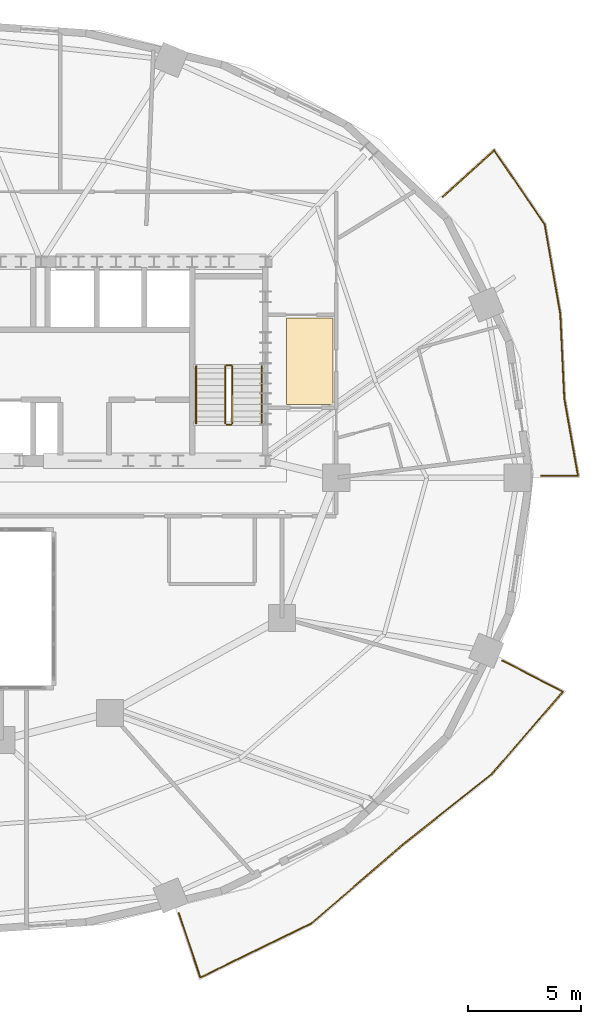
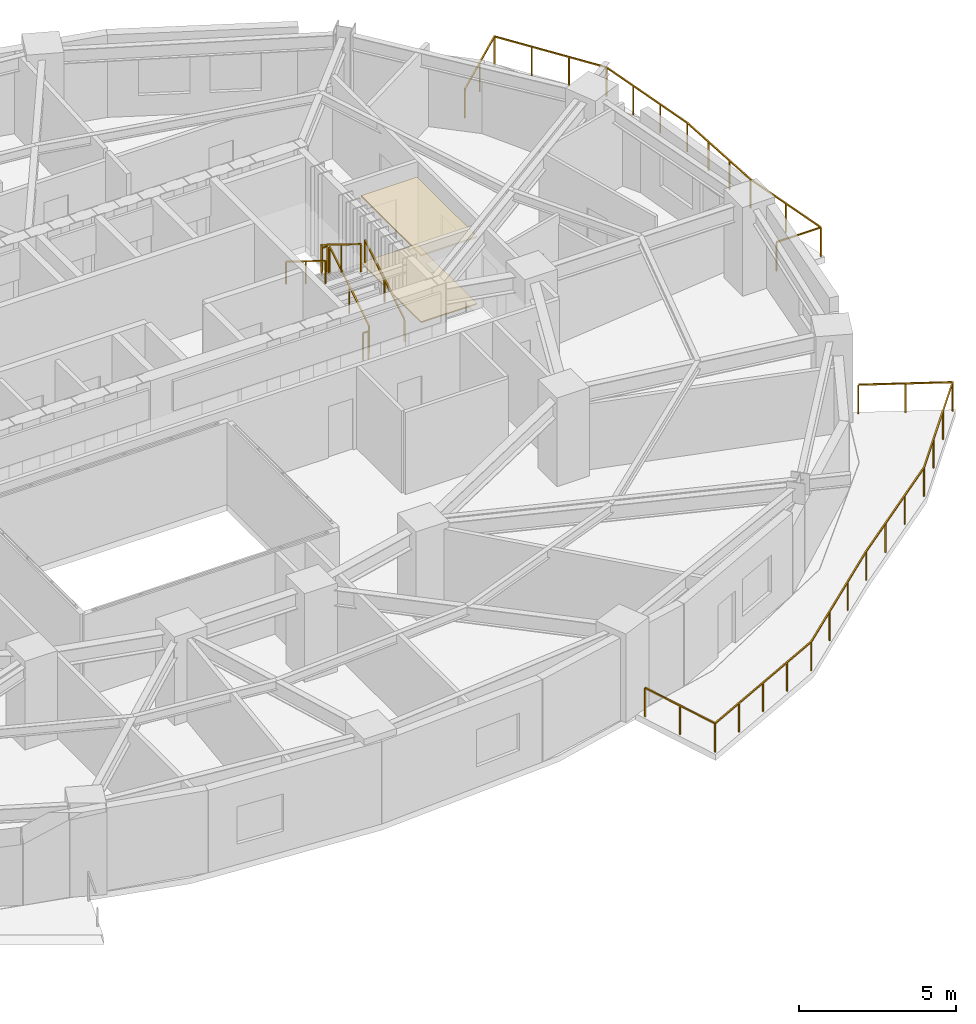
# One storey, part 13 of 13: 8 railings, 2 coverings.
"""IFC4 building model written with IfcOpenShell, lengths in metres."""

from ifc_helpers import new_model, si_unit, direction, frame, origin, origin_2d, place, context, subcontext, project, spatial, polyline, rectangle, outline, extrude, material, layer, layer_set, type_object, element, save


model = new_model("IFC4")

# Units and contexts
model_context = context("Model", 3, precision=1e-05, world=origin(), true_north=direction((0.0, 1.0)))
body_context = subcontext(model_context, "Body", "Model", "MODEL_VIEW")
ifc_project = project(units=[si_unit("LENGTHUNIT", "METRE"), si_unit("AREAUNIT", "SQUARE_METRE"), si_unit("VOLUMEUNIT", "CUBIC_METRE"), si_unit("PLANEANGLEUNIT", "RADIAN"), si_unit("MASSUNIT", "GRAM", prefix="KILO")], contexts=[model_context])

# Site, building, storey
site_placement = place(None, origin())
site = spatial("IfcSite", under=ifc_project, at=site_placement, CompositionType="ELEMENT")
building_placement = place(site_placement, origin())
building = spatial("IfcBuilding", under=site, at=building_placement, Name="Haldorwick Loom Tower", CompositionType="ELEMENT")
storey_placement = place(building_placement, frame((0.0, 0.0, 142.550048828125)))
storey = spatial("IfcBuildingStorey", under=building, at=storey_placement, Name="L38", CompositionType="ELEMENT", Elevation=142.550048828125)

# Coverings
ifc_material_1 = material(Name="Mineral Fibre Acoustic Ceiling Tile")
ifc_layer_1 = layer(ifc_material_1, 0.054931640625, Name="Mineral Fibre Acoustic Ceiling Tile")
ifc_layer_set_1 = layer_set([ifc_layer_1], Name="Mineral Fibre Acoustic Ceiling Tile")
covering_type_1 = type_object("IfcCoveringType", Name="ARC-COV-CEIL2", PredefinedType="CEILING", material=ifc_layer_set_1)
covering_1_placement = place(storey_placement, frame((0.0, 0.0, 2.594970703125)))
element("IfcCovering", 1, at=covering_1_placement, inside=storey, type_object=covering_type_1, Name="L38 Acoustic Suspended Ceiling 2", PredefinedType="CEILING", context=body_context, shape_type="SweptSolid", body=[
    extrude(outline(polyline([(51.0, 33.06005859375), (51.0, 29.239990234375), (53.06005859375, 29.239990234375), (53.06005859375, 33.06005859375), (51.0, 33.06005859375)])), origin(), (0.0, 0.0, 1.0), 0.054931640625),
])
ifc_material_2 = material(Name="Polished Aggregate Terrazzo Finish")
ifc_layer_2 = layer(ifc_material_2, 0.044921875, Name="Polished Aggregate Terrazzo Finish")
ifc_layer_set_2 = layer_set([ifc_layer_2], Name="Polished Aggregate Terrazzo Finish")
covering_type_2 = type_object("IfcCoveringType", Name="ARC-COV-FLOOR2", PredefinedType="FLOORING", material=ifc_layer_set_2)
covering_2_placement = place(storey_placement, origin())
element("IfcCovering", 2, at=covering_2_placement, inside=storey, type_object=covering_type_2, Name="L38 Floor Finish 2", PredefinedType="FLOORING", context=body_context, shape_type="SweptSolid", body=[
    extrude(outline(polyline([(51.0, 33.06005859375), (51.0, 29.239990234375), (53.06005859375, 29.239990234375), (53.06005859375, 33.06005859375), (51.0, 33.06005859375)])), origin(), (0.0, 0.0, 1.0), 0.044921875),
])

# Railings
ifc_material_3 = material(Name="Galvanized Steel CSA G40.21 350W", Category="steel")
railing_type_1 = type_object("IfcRailingType", Name="ARC-RLG-BAL115", PredefinedType="BALUSTRADE", material=ifc_material_3)
railing_1_placement = place(storey_placement, frame((60.552734375, 17.91259765625, 0.0)))
element("IfcRailing", 3, at=railing_1_placement, inside=storey, type_object=railing_type_1, Name="L38 Outdoor Terrace Guardrail SLB-L38-BAL_SE-1", PredefinedType="BALUSTRADE", context=body_context, shape_type="SweptSolid", body=[
    extrude(rectangle(XDim=0.048095703125, YDim=0.048095703125, at=origin_2d()), frame((0.0, 0.0, 1.1259765625), z_axis=(0.888510792564, -0.458855719695, 0.0), x_axis=(0.458855719695, 0.888510792564, 0.0)), (0.0, 0.0, 1.0), 3.009765625),
    extrude(rectangle(XDim=0.048095703125, YDim=0.048095703125, at=origin_2d()), frame((2.67431640625, -1.381103515625, 1.1259765625), z_axis=(-0.654367841929, -0.756176386466, 0.0), x_axis=(0.756176386466, -0.654367841929, 0.0)), (0.0, 0.0, 1.0), 4.824951171875),
    extrude(rectangle(XDim=0.048095703125, YDim=0.048095703125, at=origin_2d()), frame((-0.48291015625, -5.029541015625, 1.1259765625), z_axis=(-0.783726636091, -0.621105916798, 0.0), x_axis=(0.621105916798, -0.783726636091, 0.0)), (0.0, 0.0, 1.0), 5.01123046875),
    extrude(rectangle(XDim=0.048095703125, YDim=0.048095703125, at=origin_2d()), frame((-4.410400390625, -8.14208984375, 1.1259765625), z_axis=(-0.773957299203, -0.633237790257, 0.0), x_axis=(0.633237790257, -0.773957299203, 0.0)), (0.0, 0.0, 1.0), 0.00341796875),
    extrude(rectangle(XDim=0.048095703125, YDim=0.048095703125, at=origin_2d()), frame((-4.4130859375, -8.144287109375, 1.1259765625), z_axis=(-0.757220744918, -0.653159049134, 0.0), x_axis=(0.653159049134, -0.757220744918, 0.0)), (0.0, 0.0, 1.0), 5.32568359375),
    extrude(rectangle(XDim=0.048095703125, YDim=0.048095703125, at=origin_2d()), frame((-8.44580078125, -11.622802734375, 1.1259765625), z_axis=(-0.899116897768, -0.43770858359, 0.0), x_axis=(0.43770858359, -0.899116897768, 0.0)), (0.0, 0.0, 1.0), 5.469970703125),
    extrude(rectangle(XDim=0.048095703125, YDim=0.048095703125, at=origin_2d()), frame((-13.364013671875, -14.01708984375, 1.1259765625), z_axis=(-0.316522037821, 0.948585156733, 0.0), x_axis=(-0.948585156733, -0.316522037821, 0.0)), (0.0, 0.0, 1.0), 2.986572265625),
    extrude(rectangle(XDim=0.0419921875, YDim=0.0419921875, at=origin_2d()), origin(), (0.0, 0.0, 1.0), 1.101806640625),
    extrude(rectangle(XDim=0.0419921875, YDim=0.0419921875, at=origin_2d()), frame((1.337158203125, -0.6904296875, 0.0)), (0.0, 0.0, 1.0), 1.101806640625),
    extrude(rectangle(XDim=0.0419921875, YDim=0.0419921875, at=origin_2d()), frame((2.67431640625, -1.381103515625, 0.0)), (0.0, 0.0, 1.0), 1.101806640625),
    extrude(rectangle(XDim=0.0419921875, YDim=0.0419921875, at=origin_2d()), frame((1.621826171875, -2.59716796875, 0.0)), (0.0, 0.0, 1.0), 1.101806640625),
    extrude(rectangle(XDim=0.0419921875, YDim=0.0419921875, at=origin_2d()), frame((0.569580078125, -3.8134765625, 0.0)), (0.0, 0.0, 1.0), 1.101806640625),
    extrude(rectangle(XDim=0.0419921875, YDim=0.0419921875, at=origin_2d()), frame((-0.48291015625, -5.029541015625, 0.0)), (0.0, 0.0, 1.0), 1.101806640625),
    extrude(rectangle(XDim=0.0419921875, YDim=0.0419921875, at=origin_2d()), frame((-1.7919921875, -6.067138671875, 0.0)), (0.0, 0.0, 1.0), 1.101806640625),
    extrude(rectangle(XDim=0.0419921875, YDim=0.0419921875, at=origin_2d()), frame((-3.101318359375, -7.1044921875, 0.0)), (0.0, 0.0, 1.0), 1.101806640625),
    extrude(rectangle(XDim=0.0419921875, YDim=0.0419921875, at=origin_2d()), frame((-4.410400390625, -8.14208984375, 0.0)), (0.0, 0.0, 1.0), 1.101806640625),
    extrude(rectangle(XDim=0.0419921875, YDim=0.0419921875, at=origin_2d()), frame((-5.75732421875, -9.3037109375, 0.0)), (0.0, 0.0, 1.0), 1.101806640625),
    extrude(rectangle(XDim=0.0419921875, YDim=0.0419921875, at=origin_2d()), frame((-7.1015625, -10.46337890625, 0.0)), (0.0, 0.0, 1.0), 1.101806640625),
    extrude(rectangle(XDim=0.0419921875, YDim=0.0419921875, at=origin_2d()), frame((-8.44580078125, -11.622802734375, 0.0)), (0.0, 0.0, 1.0), 1.101806640625),
    extrude(rectangle(XDim=0.0419921875, YDim=0.0419921875, at=origin_2d()), frame((-9.67529296875, -12.221435546875, 0.0)), (0.0, 0.0, 1.0), 1.101806640625),
    extrude(rectangle(XDim=0.0419921875, YDim=0.0419921875, at=origin_2d()), frame((-10.90478515625, -12.81982421875, 0.0)), (0.0, 0.0, 1.0), 1.101806640625),
    extrude(rectangle(XDim=0.0419921875, YDim=0.0419921875, at=origin_2d()), frame((-12.134521484375, -13.41845703125, 0.0)), (0.0, 0.0, 1.0), 1.101806640625),
    extrude(rectangle(XDim=0.0419921875, YDim=0.0419921875, at=origin_2d()), frame((-13.364013671875, -14.01708984375, 0.0)), (0.0, 0.0, 1.0), 1.101806640625),
    extrude(rectangle(XDim=0.0419921875, YDim=0.0419921875, at=origin_2d()), frame((-13.836669921875, -12.6005859375, 0.0)), (0.0, 0.0, 1.0), 1.101806640625),
    extrude(rectangle(XDim=0.0419921875, YDim=0.0419921875, at=origin_2d()), frame((-14.309326171875, -11.18408203125, 0.0)), (0.0, 0.0, 1.0), 1.101806640625),
])
railing_2_placement = place(storey_placement, frame((57.91162109375, 38.418701171875, 0.0)))
element("IfcRailing", 4, at=railing_2_placement, inside=storey, type_object=railing_type_1, Name="L38 Outdoor Terrace Guardrail SLB-L38-BAL_ENE-1", PredefinedType="BALUSTRADE", context=body_context, shape_type="SweptSolid", body=[
    extrude(rectangle(XDim=0.048095703125, YDim=0.048095703125, at=origin_2d()), frame((0.0, 0.0, 1.1259765625), z_axis=(0.741530121313, 0.670919577286, 0.0), x_axis=(-0.670919577286, 0.741530121313, 0.0)), (0.0, 0.0, 1.0), 3.06689453125),
    extrude(rectangle(XDim=0.048095703125, YDim=0.048095703125, at=origin_2d()), frame((2.274169921875, 2.0576171875, 1.1259765625), z_axis=(0.563872418529, -0.825861910747, 0.0), x_axis=(0.825861910747, 0.563872418529, 0.0)), (0.0, 0.0, 1.0), 3.95947265625),
    extrude(rectangle(XDim=0.048095703125, YDim=0.048095703125, at=origin_2d()), frame((4.5068359375, -1.21240234375, 1.1259765625), z_axis=(0.171625353709, -0.985162290166, 0.0), x_axis=(0.985162290166, 0.171625353709, 0.0)), (0.0, 0.0, 1.0), 4.0244140625),
    extrude(rectangle(XDim=0.048095703125, YDim=0.048095703125, at=origin_2d()), frame((5.197509765625, -5.177001953125, 1.1259765625), z_axis=(0.047350743594, -0.998878324463, 0.0), x_axis=(0.998878324463, 0.047350743594, 0.0)), (0.0, 0.0, 1.0), 3.73291015625),
    extrude(rectangle(XDim=0.048095703125, YDim=0.048095703125, at=origin_2d()), frame((5.374267578125, -8.90576171875, 1.1259765625), z_axis=(0.118212889785, -0.992988274195, 0.0), x_axis=(0.992988274195, 0.118212889785, 0.0)), (0.0, 0.0, 1.0), 0.01025390625),
    extrude(rectangle(XDim=0.048095703125, YDim=0.048095703125, at=origin_2d()), frame((5.37548828125, -8.916015625, 1.1259765625), z_axis=(0.174402362104, -0.984674472144, 0.0), x_axis=(0.984674472144, 0.174402362104, 0.0)), (0.0, 0.0, 1.0), 3.475830078125),
    extrude(rectangle(XDim=0.048095703125, YDim=0.048095703125, at=origin_2d()), frame((5.981689453125, -12.338623046875, 1.1259765625), z_axis=(-1.0, 0.0, 0.0), x_axis=(0.0, -1.0, 0.0)), (0.0, 0.0, 1.0), 1.633056640625),
    extrude(rectangle(XDim=0.0419921875, YDim=0.0419921875, at=origin_2d()), origin(), (0.0, 0.0, 1.0), 1.101806640625),
    extrude(rectangle(XDim=0.0419921875, YDim=0.0419921875, at=origin_2d()), frame((1.13720703125, 1.02880859375, 0.0)), (0.0, 0.0, 1.0), 1.101806640625),
    extrude(rectangle(XDim=0.0419921875, YDim=0.0419921875, at=origin_2d()), frame((2.274169921875, 2.0576171875, 0.0)), (0.0, 0.0, 1.0), 1.101806640625),
    extrude(rectangle(XDim=0.0419921875, YDim=0.0419921875, at=origin_2d()), frame((3.018310546875, 0.967529296875, 0.0)), (0.0, 0.0, 1.0), 1.101806640625),
    extrude(rectangle(XDim=0.0419921875, YDim=0.0419921875, at=origin_2d()), frame((3.7626953125, -0.122314453125, 0.0)), (0.0, 0.0, 1.0), 1.101806640625),
    extrude(rectangle(XDim=0.0419921875, YDim=0.0419921875, at=origin_2d()), frame((4.5068359375, -1.21240234375, 0.0)), (0.0, 0.0, 1.0), 1.101806640625),
    extrude(rectangle(XDim=0.0419921875, YDim=0.0419921875, at=origin_2d()), frame((4.737060546875, -2.533935546875, 0.0)), (0.0, 0.0, 1.0), 1.101806640625),
    extrude(rectangle(XDim=0.0419921875, YDim=0.0419921875, at=origin_2d()), frame((4.96728515625, -3.85546875, 0.0)), (0.0, 0.0, 1.0), 1.101806640625),
    extrude(rectangle(XDim=0.0419921875, YDim=0.0419921875, at=origin_2d()), frame((5.197509765625, -5.177001953125, 0.0)), (0.0, 0.0, 1.0), 1.101806640625),
    extrude(rectangle(XDim=0.0419921875, YDim=0.0419921875, at=origin_2d()), frame((5.25634765625, -6.419921875, 0.0)), (0.0, 0.0, 1.0), 1.101806640625),
    extrude(rectangle(XDim=0.0419921875, YDim=0.0419921875, at=origin_2d()), frame((5.3154296875, -7.662841796875, 0.0)), (0.0, 0.0, 1.0), 1.101806640625),
    extrude(rectangle(XDim=0.0419921875, YDim=0.0419921875, at=origin_2d()), frame((5.374267578125, -8.90576171875, 0.0)), (0.0, 0.0, 1.0), 1.101806640625),
    extrude(rectangle(XDim=0.0419921875, YDim=0.0419921875, at=origin_2d()), frame((5.6787109375, -10.62744140625, 0.0)), (0.0, 0.0, 1.0), 1.101806640625),
    extrude(rectangle(XDim=0.0419921875, YDim=0.0419921875, at=origin_2d()), frame((5.981689453125, -12.338623046875, 0.0)), (0.0, 0.0, 1.0), 1.101806640625),
    extrude(rectangle(XDim=0.0419921875, YDim=0.0419921875, at=origin_2d()), frame((4.3486328125, -12.338623046875, 0.0)), (0.0, 0.0, 1.0), 1.101806640625),
])
ifc_material_4 = material(Name="Steel CSA G40.21 350W", Category="steel")
railing_type_2 = type_object("IfcRailingType", Name="ARC-RLG-GUARD112", PredefinedType="GUARDRAIL", material=ifc_material_4)
railing_3_placement = place(storey_placement, frame((48.60009765625, 28.39990234375, 0.17236328125)))
element("IfcRailing", 5, at=railing_3_placement, inside=storey, type_object=railing_type_2, Name="L38 ST-02 stair guard 1", PredefinedType="GUARDRAIL", context=body_context, shape_type="SweptSolid", body=[
    extrude(rectangle(XDim=0.048095703125, YDim=0.048095703125, at=origin_2d()), frame((0.0, 0.0, 1.076171875), z_axis=(0.0, 0.851400495292, 0.524516154772), x_axis=(-1.0, 0.0, 0.0)), (0.0, 0.0, 1.0), 2.9599609375),
    extrude(rectangle(XDim=0.0419921875, YDim=0.0419921875, at=origin_2d()), origin(), (0.0, 0.0, 1.0), 1.052001953125),
    extrude(rectangle(XDim=0.0419921875, YDim=0.0419921875, at=origin_2d()), frame((0.0, 1.260009765625, 0.7763671875)), (0.0, 0.0, 1.0), 1.052001953125),
    extrude(rectangle(XDim=0.0419921875, YDim=0.0419921875, at=origin_2d()), frame((0.0, 2.52001953125, 1.552490234375)), (0.0, 0.0, 1.0), 1.052001953125),
])
railing_4_placement = place(storey_placement, frame((48.550048828125, 30.969970703125, 1.724853515625)))
element("IfcRailing", 6, at=railing_4_placement, inside=storey, type_object=railing_type_2, Name="L38 ST-02 stair guard 2", PredefinedType="GUARDRAIL", context=body_context, shape_type="SweptSolid", body=[
    extrude(rectangle(XDim=0.048095703125, YDim=0.048095703125, at=origin_2d()), frame((0.0, 0.0, 1.076171875), z_axis=(-1.0, 0.0, 0.0), x_axis=(0.0, -1.0, 0.0)), (0.0, 0.0, 1.0), 0.199951171875),
    extrude(rectangle(XDim=0.0419921875, YDim=0.0419921875, at=origin_2d()), origin(), (0.0, 0.0, 1.0), 1.052001953125),
    extrude(rectangle(XDim=0.0419921875, YDim=0.0419921875, at=origin_2d()), frame((-0.199951171875, 0.0, 0.0)), (0.0, 0.0, 1.0), 1.052001953125),
])
railing_5_placement = place(storey_placement, frame((48.300048828125, 30.919921875, 1.8974609375)))
element("IfcRailing", 7, at=railing_5_placement, inside=storey, type_object=railing_type_2, Name="L38 ST-02 stair guard 3", PredefinedType="GUARDRAIL", context=body_context, shape_type="SweptSolid", body=[
    extrude(rectangle(XDim=0.048095703125, YDim=0.048095703125, at=origin_2d()), frame((0.0, 0.0, 1.076171875), z_axis=(0.0, -0.851400495292, 0.524516154772), x_axis=(1.0, 0.0, 0.0)), (0.0, 0.0, 1.0), 2.9599609375),
    extrude(rectangle(XDim=0.0419921875, YDim=0.0419921875, at=origin_2d()), origin(), (0.0, 0.0, 1.0), 1.052001953125),
    extrude(rectangle(XDim=0.0419921875, YDim=0.0419921875, at=origin_2d()), frame((0.0, -1.260009765625, 0.7763671875)), (0.0, 0.0, 1.0), 1.052001953125),
    extrude(rectangle(XDim=0.0419921875, YDim=0.0419921875, at=origin_2d()), frame((0.0, -2.52001953125, 1.552490234375)), (0.0, 0.0, 1.0), 1.052001953125),
])
railing_6_placement = place(storey_placement, frame((48.550048828125, 28.35009765625, 0.0)))
element("IfcRailing", 8, at=railing_6_placement, inside=storey, type_object=railing_type_2, Name="L38 ST-02 stair guard 4", PredefinedType="GUARDRAIL", context=body_context, shape_type="SweptSolid", body=[
    extrude(rectangle(XDim=0.048095703125, YDim=0.048095703125, at=origin_2d()), frame((0.0, 0.0, 1.076171875), z_axis=(-1.0, 0.0, 0.0), x_axis=(0.0, -1.0, 0.0)), (0.0, 0.0, 1.0), 0.199951171875),
    extrude(rectangle(XDim=0.0419921875, YDim=0.0419921875, at=origin_2d()), origin(), (0.0, 0.0, 1.0), 1.052001953125),
    extrude(rectangle(XDim=0.0419921875, YDim=0.0419921875, at=origin_2d()), frame((-0.199951171875, 0.0, 0.0)), (0.0, 0.0, 1.0), 1.052001953125),
])
railing_type_3 = type_object("IfcRailingType", Name="ARC-RLG-HAND092", PredefinedType="HANDRAIL", material=ifc_material_4)
railing_7_placement = place(storey_placement, frame((49.89990234375, 28.39990234375, 0.17236328125)))
element("IfcRailing", 9, at=railing_7_placement, inside=storey, type_object=railing_type_3, Name="L38 ST-02 stair handrail 1", PredefinedType="HANDRAIL", context=body_context, shape_type="SweptSolid", body=[
    extrude(rectangle(XDim=0.048095703125, YDim=0.048095703125, at=origin_2d()), frame((0.0, 0.0, 0.8759765625), z_axis=(0.0, 0.851400495292, 0.524516154772), x_axis=(-1.0, 0.0, 0.0)), (0.0, 0.0, 1.0), 2.9599609375),
    extrude(rectangle(XDim=0.0419921875, YDim=0.0419921875, at=origin_2d()), origin(), (0.0, 0.0, 1.0), 0.851806640625),
    extrude(rectangle(XDim=0.0419921875, YDim=0.0419921875, at=origin_2d()), frame((0.0, 1.260009765625, 0.7763671875)), (0.0, 0.0, 1.0), 0.851806640625),
    extrude(rectangle(XDim=0.0419921875, YDim=0.0419921875, at=origin_2d()), frame((0.0, 2.52001953125, 1.552490234375)), (0.0, 0.0, 1.0), 0.851806640625),
])
railing_8_placement = place(storey_placement, frame((47.0, 30.919921875, 1.8974609375)))
element("IfcRailing", 10, at=railing_8_placement, inside=storey, type_object=railing_type_3, Name="L38 ST-02 stair handrail 2", PredefinedType="HANDRAIL", context=body_context, shape_type="SweptSolid", body=[
    extrude(rectangle(XDim=0.048095703125, YDim=0.048095703125, at=origin_2d()), frame((0.0, 0.0, 0.8759765625), z_axis=(0.0, -0.851400495292, 0.524516154772), x_axis=(1.0, 0.0, 0.0)), (0.0, 0.0, 1.0), 2.9599609375),
    extrude(rectangle(XDim=0.0419921875, YDim=0.0419921875, at=origin_2d()), origin(), (0.0, 0.0, 1.0), 0.851806640625),
    extrude(rectangle(XDim=0.0419921875, YDim=0.0419921875, at=origin_2d()), frame((0.0, -1.260009765625, 0.7763671875)), (0.0, 0.0, 1.0), 0.851806640625),
    extrude(rectangle(XDim=0.0419921875, YDim=0.0419921875, at=origin_2d()), frame((0.0, -2.52001953125, 1.552490234375)), (0.0, 0.0, 1.0), 0.851806640625),
])

save(model, "model.ifc")
